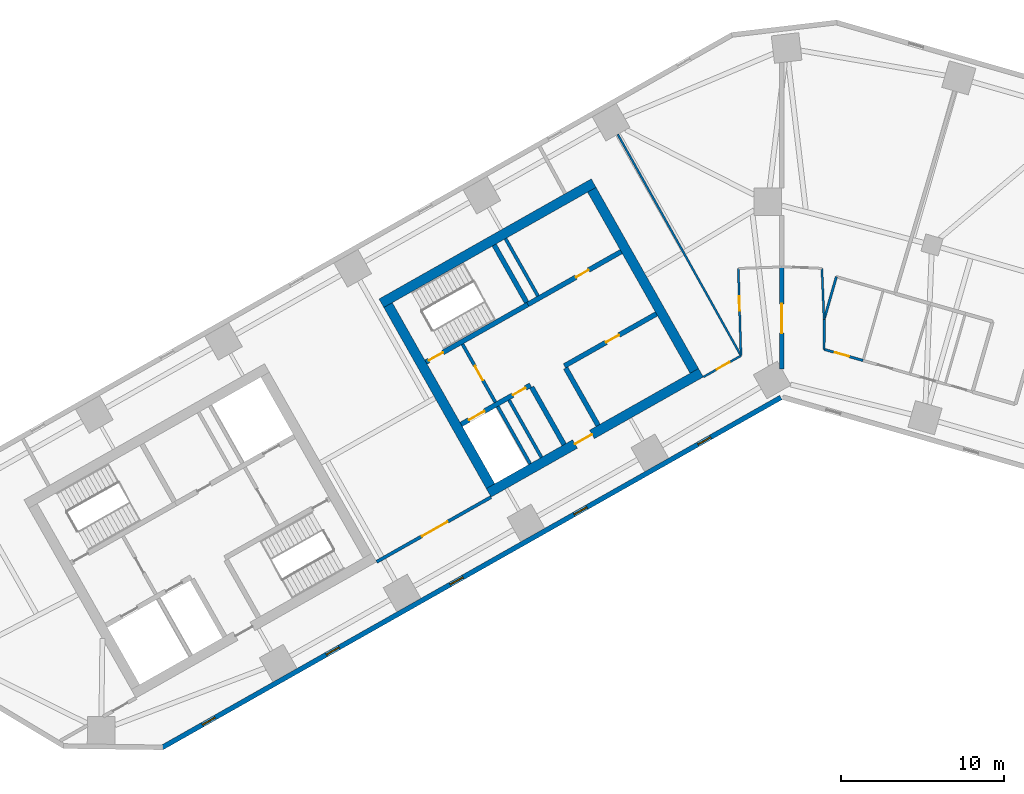
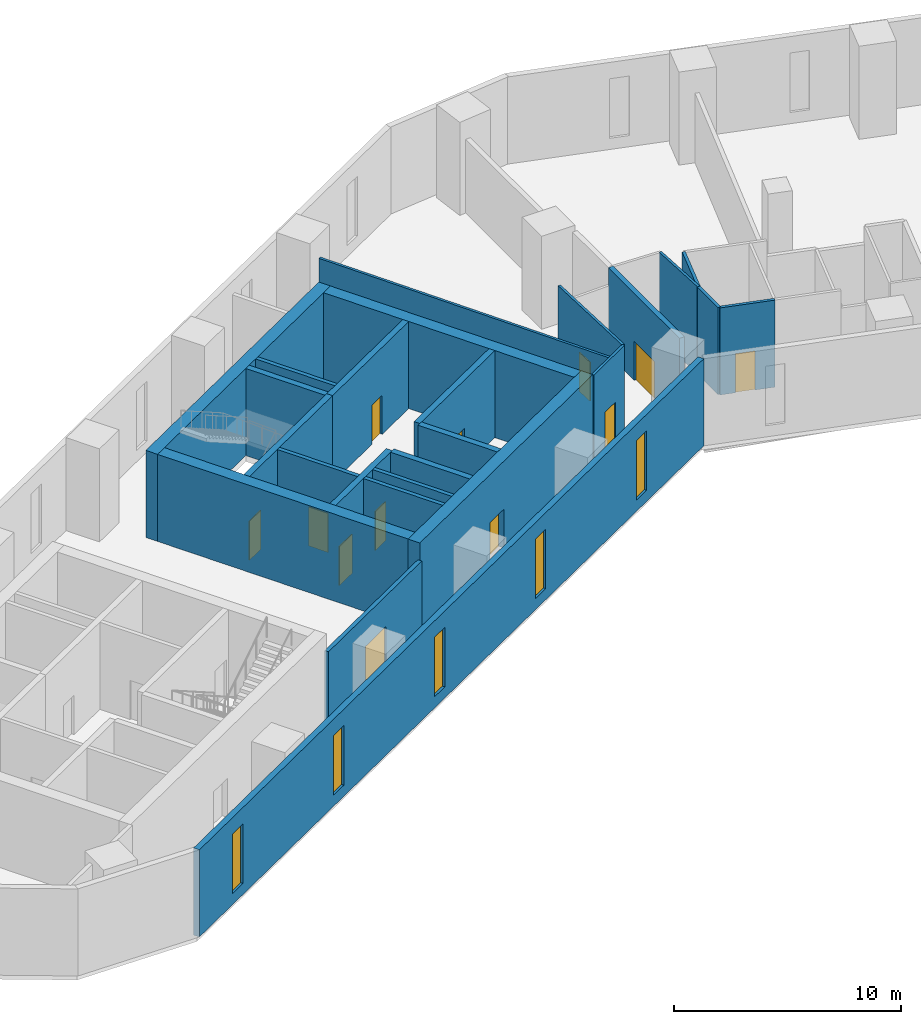
# One storey, part 4 of 10: 25 walls, 12 doors, 5 windows, 17 openings.
"""IFC4 building model written with IfcOpenShell, lengths in metres."""

from ifc_helpers import new_model, si_unit, direction, frame, frame_2d, origin, place, context, subcontext, project, spatial, rectangle, extrude, material, layer, layer_set, type_object, element, fill, save


model = new_model("IFC4")

# Units and contexts
model_context = context("Model", 3, precision=1e-05, world=origin(), true_north=direction((0.0, 1.0)))
body_context = subcontext(model_context, "Body", "Model", "MODEL_VIEW")
ifc_project = project(units=[si_unit("LENGTHUNIT", "METRE"), si_unit("AREAUNIT", "SQUARE_METRE"), si_unit("VOLUMEUNIT", "CUBIC_METRE"), si_unit("PLANEANGLEUNIT", "RADIAN"), si_unit("MASSUNIT", "GRAM", prefix="KILO")], contexts=[model_context])

# Site, building, storey
site_placement = place(None, origin())
site = spatial("IfcSite", under=ifc_project, at=site_placement, CompositionType="ELEMENT")
building_placement = place(site_placement, origin())
building = spatial("IfcBuilding", under=site, at=building_placement, Name="Binnacle Exchange Tower", CompositionType="ELEMENT")
storey_placement = place(building_placement, frame((0.0, 0.0, 41.5)))
storey = spatial("IfcBuildingStorey", under=building, at=storey_placement, Name="L08", CompositionType="ELEMENT", Elevation=41.5)

# Wall, openings, doors
ifc_material_1 = material(Name="Concrete C70/85", Category="concrete")
ifc_layer_1 = layer(ifc_material_1, 0.300048828125)
ifc_layer_set_1 = layer_set([ifc_layer_1], Name="Core wall - front 300")
wall_type_1 = type_object("IfcWallType", Name="Core wall - front 300", PredefinedType="SOLIDWALL", material=ifc_layer_set_1)
wall_1_placement = place(storey_placement, frame((-19.718017578125, 46.31640625, 0.0), z_axis=(0.0, 0.0, 1.0), x_axis=(0.870353963862, 0.492426621528, 0.0)))
wall_1 = element("IfcWall", 1, at=wall_1_placement, inside=storey, type_object=wall_type_1, Name="Core wall CRWC2", PredefinedType="SOLIDWALL", context=body_context, shape_type="SweptSolid", body=[
    extrude(rectangle(XDim=4.89990234375, YDim=0.300048828125, at=frame_2d((2.449951171875, 0.0))), origin(), (0.0, 0.0, 1.0), 4.679931640625),
])
opening_1_placement = place(wall_1_placement, frame((0.550048828125, 0.0, 0.0)))
opening_1 = element("IfcOpeningElement", 2, at=opening_1_placement, cuts=wall_1, Name="Opening LD14", PredefinedType="OPENING", context=body_context, shape_type="SweptSolid", body=[
    extrude(rectangle(XDim=1.10009765625, YDim=2.10009765625, at=frame_2d((0.550048828125, 1.050048828125))), frame((0.0, 0.159912109375, 0.0), z_axis=(0.0, -1.0, 0.0), x_axis=(1.0, 0.0, 0.0)), (0.0, 0.0, 1.0), 0.320068359375),
])
opening_2_placement = place(wall_1_placement, frame((3.64990234375, 0.0, 0.0)))
opening_2 = element("IfcOpeningElement", 3, at=opening_2_placement, cuts=wall_1, Name="Opening DC14", PredefinedType="OPENING", context=body_context, shape_type="SweptSolid", body=[
    extrude(rectangle(XDim=0.89990234375, YDim=2.10009765625, at=frame_2d((0.449951171875, 1.050048828125))), frame((0.0, 0.159912109375, 0.0), z_axis=(0.0, -1.0, 0.0), x_axis=(1.0, 0.0, 0.0)), (0.0, 0.0, 1.0), 0.320068359375),
])
ifc_material_2 = material(Name="Steel door leaf", Category="steel")
door_type_1 = type_object("IfcDoorType", Name="Fire door - lift landing 1100", OperationType="NOTDEFINED", PredefinedType="DOOR", material=ifc_material_2)
door_1_placement = place(opening_1_placement, origin())
door_1 = element("IfcDoor", 4, at=door_1_placement, inside=storey, type_object=door_type_1, Name="Landing door LD14 L08", OperationType="DOUBLE_DOOR_SLIDING", OverallHeight=2.10009765625, OverallWidth=1.10009765625, PredefinedType="DOOR", context=body_context, shape_type="SweptSolid", body=[
    extrude(rectangle(XDim=1.10009765625, YDim=2.10009765625, at=frame_2d((0.550048828125, 1.050048828125))), frame((0.0, 0.02490234375, 0.0), z_axis=(0.0, -1.0, 0.0), x_axis=(1.0, 0.0, 0.0)), (0.0, 0.0, 1.0), 0.050048828125),
])
fill(opening_1, door_1)
door_type_2 = type_object("IfcDoorType", Name="Fire door 900", OperationType="NOTDEFINED", PredefinedType="DOOR", material=ifc_material_2)
door_2_placement = place(opening_2_placement, frame((0.89990234375, 0.0, 0.0), z_axis=(0.0, 0.0, 1.0), x_axis=(-1.0, 0.0, 0.0)))
door_2 = element("IfcDoor", 5, at=door_2_placement, inside=storey, type_object=door_type_2, Name="Core room door FIBRE ENTRY ROOM", OperationType="SINGLE_SWING_LEFT", OverallHeight=2.10009765625, OverallWidth=0.89990234375, PredefinedType="DOOR", context=body_context, shape_type="SweptSolid", body=[
    extrude(rectangle(XDim=0.89990234375, YDim=2.10009765625, at=frame_2d((0.449951171875, 1.050048828125))), frame((0.0, 0.02490234375, 0.0), z_axis=(0.0, -1.0, 0.0), x_axis=(1.0, 0.0, 0.0)), (0.0, 0.0, 1.0), 0.050048828125),
])
fill(opening_2, door_2)

# Wall, opening, door
wall_2_placement = place(storey_placement, frame((-13.364501953125, 49.910888671875, 0.0), z_axis=(0.0, 0.0, 1.0), x_axis=(0.870340995471, 0.49244954219, 0.0)))
wall_2 = element("IfcWall", 6, at=wall_2_placement, inside=storey, type_object=wall_type_1, Name="Core wall CRWC3", PredefinedType="SOLIDWALL", context=body_context, shape_type="SweptSolid", body=[
    extrude(rectangle(XDim=6.5, YDim=0.300048828125, at=frame_2d((3.25, 0.0))), origin(), (0.0, 0.0, 1.0), 4.679931640625),
])
opening_3_placement = place(wall_2_placement, frame((2.949951171875, 0.0, 0.0)))
opening_3 = element("IfcOpeningElement", 7, at=opening_3_placement, cuts=wall_2, Name="Opening DC18", PredefinedType="OPENING", context=body_context, shape_type="SweptSolid", body=[
    extrude(rectangle(XDim=0.89990234375, YDim=2.10009765625, at=frame_2d((0.449951171875, 1.050048828125))), frame((0.0, 0.159912109375, 0.0), z_axis=(0.0, -1.0, 0.0), x_axis=(1.0, 0.0, 0.0)), (0.0, 0.0, 1.0), 0.320068359375),
])
door_3_placement = place(opening_3_placement, frame((0.89990234375, 0.0, 0.0), z_axis=(0.0, 0.0, 1.0), x_axis=(-1.0, 0.0, 0.0)))
door_3 = element("IfcDoor", 8, at=door_3_placement, inside=storey, type_object=door_type_2, Name="Core room door WORKSHOP STORE", OperationType="SINGLE_SWING_LEFT", OverallHeight=2.10009765625, OverallWidth=0.89990234375, PredefinedType="DOOR", context=body_context, shape_type="SweptSolid", body=[
    extrude(rectangle(XDim=0.89990234375, YDim=2.10009765625, at=frame_2d((0.449951171875, 1.050048828125))), frame((0.0, 0.02490234375, 0.0), z_axis=(0.0, -1.0, 0.0), x_axis=(1.0, 0.0, 0.0)), (0.0, 0.0, 1.0), 0.050048828125),
])
fill(opening_3, door_3)

wall_3_placement = place(storey_placement, frame((-15.6181640625, 53.69140625, 0.0), z_axis=(0.0, 0.0, 1.0), x_axis=(0.870356769198, 0.492421663121, 0.0)))
wall_3 = element("IfcWall", 9, at=wall_3_placement, inside=storey, type_object=wall_type_1, Name="Core wall CRWC5", PredefinedType="SOLIDWALL", context=body_context, shape_type="SweptSolid", body=[
    extrude(rectangle(XDim=6.60009765625, YDim=0.300048828125, at=frame_2d((3.300048828125, 0.0))), origin(), (0.0, 0.0, 1.0), 4.679931640625),
])
opening_4_placement = place(wall_3_placement, frame((3.400146484375, 0.0, 0.0)))
opening_4 = element("IfcOpeningElement", 10, at=opening_4_placement, cuts=wall_3, Name="Opening DC10", PredefinedType="OPENING", context=body_context, shape_type="SweptSolid", body=[
    extrude(rectangle(XDim=0.89990234375, YDim=2.10009765625, at=frame_2d((0.449951171875, 1.050048828125))), frame((0.0, 0.159912109375, 0.0), z_axis=(0.0, -1.0, 0.0), x_axis=(1.0, 0.0, 0.0)), (0.0, 0.0, 1.0), 0.320068359375),
])
door_4_placement = place(opening_4_placement, origin())
door_4 = element("IfcDoor", 11, at=door_4_placement, inside=storey, type_object=door_type_2, Name="Core room door STAFF PANTRY AND STORE", OperationType="SINGLE_SWING_RIGHT", OverallHeight=2.10009765625, OverallWidth=0.89990234375, PredefinedType="DOOR", context=body_context, shape_type="SweptSolid", body=[
    extrude(rectangle(XDim=0.89990234375, YDim=2.10009765625, at=frame_2d((0.449951171875, 1.050048828125))), frame((0.0, 0.02490234375, 0.0), z_axis=(0.0, -1.0, 0.0), x_axis=(1.0, 0.0, 0.0)), (0.0, 0.0, 1.0), 0.050048828125),
])
fill(opening_4, door_4)

# Walls
for number, where, z_axis, x_axis, name in (
    (12, (-15.37939453125, 48.5986328125, 0.0), (0.0, 0.0, 1.0), (0.492394910396, -0.870371904542, 0.0), "Core wall CRWC13"),
    (13, (-13.29052734375, 49.780517578125, 0.0), (0.0, 0.0, 1.0), (0.492394910396, -0.870371904542, 0.0), "Core wall CRWC15"),
):
    element("IfcWall", number, at=place(storey_placement, frame(where, z_axis=z_axis, x_axis=x_axis)), inside=storey, type_object=wall_type_1, Name=name, PredefinedType="SOLIDWALL", context=body_context, shape_type="SweptSolid", body=[
        extrude(rectangle(XDim=4.0498046875, YDim=0.300048828125, at=frame_2d((2.02490234375, 0.0))), origin(), (0.0, 0.0, 1.0), 4.679931640625),
    ])

# Wall, opening, door
ifc_layer_2 = layer(ifc_material_1, 0.60009765625)
ifc_layer_set_2 = layer_set([ifc_layer_2], Name="Core wall - outer 600")
wall_type_2 = type_object("IfcWallType", Name="Core wall - outer 600", PredefinedType="SOLIDWALL", material=ifc_layer_set_2)
wall_4_placement = place(storey_placement, frame((-18.0244140625, 42.104248046875, 0.0), z_axis=(0.0, 0.0, 1.0), x_axis=(0.870360574057, 0.492414937962, 0.0)))
wall_4 = element("IfcWall", 14, at=wall_4_placement, inside=storey, type_object=wall_type_2, Name="Core wall CRWC1", PredefinedType="SOLIDWALL", context=body_context, shape_type="SweptSolid", body=[
    extrude(rectangle(XDim=15.0, YDim=0.60009765625, at=frame_2d((7.5, 0.0))), origin(), (0.0, 0.0, 1.0), 4.679931640625),
])
opening_5_placement = place(wall_4_placement, frame((6.10009765625, 0.0, 0.0)))
opening_5 = element("IfcOpeningElement", 15, at=opening_5_placement, cuts=wall_4, Name="Opening DC7", PredefinedType="OPENING", context=body_context, shape_type="SweptSolid", body=[
    extrude(rectangle(XDim=1.199951171875, YDim=2.10009765625, at=frame_2d((0.60009765625, 1.050048828125))), frame((0.0, 0.31005859375, 0.0), z_axis=(0.0, -1.0, 0.0), x_axis=(1.0, 0.0, 0.0)), (0.0, 0.0, 1.0), 0.6201171875),
])
door_type_3 = type_object("IfcDoorType", Name="Fire door 1200", OperationType="NOTDEFINED", PredefinedType="DOOR", material=ifc_material_2)
door_5_placement = place(opening_5_placement, frame((1.199951171875, 0.0, 0.0), z_axis=(0.0, 0.0, 1.0), x_axis=(-1.0, 0.0, 0.0)))
door_5 = element("IfcDoor", 16, at=door_5_placement, inside=storey, type_object=door_type_3, Name="Lift lobby entrance door core C", OperationType="SINGLE_SWING_RIGHT", OverallHeight=2.10009765625, OverallWidth=1.199951171875, PredefinedType="DOOR", context=body_context, shape_type="SweptSolid", body=[
    extrude(rectangle(XDim=1.199951171875, YDim=2.10009765625, at=frame_2d((0.60009765625, 1.050048828125))), frame((0.0, 0.02490234375, 0.0), z_axis=(0.0, -1.0, 0.0), x_axis=(1.0, 0.0, 0.0)), (0.0, 0.0, 1.0), 0.050048828125),
])
fill(opening_5, door_5)

# Walls
wall_5_placement = place(storey_placement, frame((-24.622802734375, 53.76708984375, 0.0), z_axis=(0.0, 0.0, 1.0), x_axis=(0.870356627484, 0.492421913601, 0.0)))
element("IfcWall", 17, at=wall_5_placement, inside=storey, type_object=wall_type_2, Name="Core wall CRWC6", PredefinedType="SOLIDWALL", context=body_context, shape_type="SweptSolid", body=[
    extrude(rectangle(XDim=14.999755859375, YDim=0.60009765625, at=frame_2d((7.5, 0.0))), origin(), (0.0, 0.0, 1.0), 4.679931640625),
])
wall_6_placement = place(storey_placement, frame((-24.214111328125, 53.653564453125, 0.0), z_axis=(0.0, 0.0, 1.0), x_axis=(0.492441221355, -0.870345703448, 0.0)))
element("IfcWall", 18, at=wall_6_placement, inside=storey, type_object=wall_type_2, Name="Core wall CRWC7", PredefinedType="SOLIDWALL", context=body_context, shape_type="SweptSolid", body=[
    extrude(rectangle(XDim=12.800048828125, YDim=0.60009765625, at=frame_2d((6.39990234375, 0.0))), origin(), (0.0, 0.0, 1.0), 4.679931640625),
])
wall_7_placement = place(storey_placement, frame((-11.680908203125, 60.744384765625, 0.0), z_axis=(0.0, 0.0, 1.0), x_axis=(0.492426772896, -0.870353878221, 0.0)))
element("IfcWall", 19, at=wall_7_placement, inside=storey, type_object=wall_type_2, Name="Core wall CRWC24", PredefinedType="SOLIDWALL", context=body_context, shape_type="SweptSolid", body=[
    extrude(rectangle(XDim=12.7998046875, YDim=0.60009765625, at=frame_2d((6.39990234375, 0.0))), origin(), (0.0, 0.0, 1.0), 4.679931640625),
])

# Wall, opening, door
ifc_layer_3 = layer(ifc_material_1, 0.300048828125)
ifc_layer_set_3 = layer_set([ifc_layer_3], Name="Core wall - stair 300")
wall_type_3 = type_object("IfcWallType", Name="Core wall - stair 300", PredefinedType="SOLIDWALL", material=ifc_layer_set_3)
wall_8_placement = place(storey_placement, frame((-21.884765625, 50.14599609375, 0.0), z_axis=(0.0, 0.0, 1.0), x_axis=(0.870359411463, 0.492416992881, 0.0)))
wall_8 = element("IfcWall", 20, at=wall_8_placement, inside=storey, type_object=wall_type_3, Name="Core wall CRWC4", PredefinedType="SOLIDWALL", context=body_context, shape_type="SweptSolid", body=[
    extrude(rectangle(XDim=7.199951171875, YDim=0.300048828125, at=frame_2d((3.60009765625, 0.0))), origin(), (0.0, 0.0, 1.0), 4.679931640625),
])
opening_6_placement = place(wall_8_placement, frame((0.199951171875, 0.0, 0.0)))
opening_6 = element("IfcOpeningElement", 21, at=opening_6_placement, cuts=wall_8, Name="Opening DC1", PredefinedType="OPENING", context=body_context, shape_type="SweptSolid", body=[
    extrude(rectangle(XDim=1.0, YDim=2.10009765625, at=frame_2d((0.5, 1.050048828125))), frame((0.0, 0.159912109375, 0.0), z_axis=(0.0, -1.0, 0.0), x_axis=(1.0, 0.0, 0.0)), (0.0, 0.0, 1.0), 0.320068359375),
])
door_type_4 = type_object("IfcDoorType", Name="Fire door 1000", OperationType="NOTDEFINED", PredefinedType="DOOR", material=ifc_material_2)
door_6_placement = place(opening_6_placement, origin())
door_6 = element("IfcDoor", 22, at=door_6_placement, inside=storey, type_object=door_type_4, Name="Stair door ST-C1", OperationType="SINGLE_SWING_LEFT", OverallHeight=2.10009765625, OverallWidth=1.0, PredefinedType="DOOR", context=body_context, shape_type="SweptSolid", body=[
    extrude(rectangle(XDim=1.0, YDim=2.10009765625, at=frame_2d((0.5, 1.050048828125))), frame((0.0, 0.02490234375, 0.0), z_axis=(0.0, -1.0, 0.0), x_axis=(1.0, 0.0, 0.0)), (0.0, 0.0, 1.0), 0.050048828125),
])
fill(opening_6, door_6)

# Wall
wall_9_placement = place(storey_placement, frame((-17.686279296875, 57.3466796875, 0.0), z_axis=(0.0, 0.0, 1.0), x_axis=(0.492420746998, -0.870357287513, 0.0)))
element("IfcWall", 23, at=wall_9_placement, inside=storey, type_object=wall_type_3, Name="Core wall CRWC14", PredefinedType="SOLIDWALL", context=body_context, shape_type="SweptSolid", body=[
    extrude(rectangle(XDim=4.049560546875, YDim=0.300048828125, at=frame_2d((2.02490234375, 0.0))), origin(), (0.0, 0.0, 1.0), 4.679931640625),
])

# Wall, openings, windows
ifc_material_3 = material(Name="Bronze aluminium cladding", Category="aluminium")
ifc_layer_4 = layer(ifc_material_3, 0.300048828125)
ifc_layer_set_4 = layer_set([ifc_layer_4], Name="External wall - spandrel 300")
wall_type_4 = type_object("IfcWallType", Name="External wall - spandrel 300", PredefinedType="STANDARD", material=ifc_layer_set_4)
wall_10_placement = place(storey_placement, frame((-0.0546875, 47.968994140625, 0.0), z_axis=(0.0, 0.0, 1.0), x_axis=(-0.870355730478, -0.492423499058, 0.0)))
wall_10 = element("IfcWall", 24, at=wall_10_placement, inside=storey, type_object=wall_type_4, Name="External wall EW-F07 L08", PredefinedType="STANDARD", context=body_context, shape_type="SweptSolid", body=[
    extrude(rectangle(XDim=43.750244140625, YDim=0.300048828125, at=frame_2d((21.875, 0.0))), origin(), (0.0, 0.0, 1.0), 4.679931640625),
])
opening_7_placement = place(wall_10_placement, frame((39.976806640625, 0.0, 0.60009765625)))
opening_7 = element("IfcOpeningElement", 25, at=opening_7_placement, cuts=wall_10, Name="Opening WS1", PredefinedType="OPENING", context=body_context, shape_type="SweptSolid", body=[
    extrude(rectangle(XDim=0.89990234375, YDim=3.199951171875, at=frame_2d((0.449951171875, 1.60009765625))), frame((0.0, 0.159912109375, 0.0), z_axis=(0.0, -1.0, 0.0), x_axis=(1.0, 0.0, 0.0)), (0.0, 0.0, 1.0), 0.320068359375),
])
opening_8_placement = place(wall_10_placement, frame((31.222412109375, 0.0, 0.60009765625)))
opening_8 = element("IfcOpeningElement", 26, at=opening_8_placement, cuts=wall_10, Name="Opening WS1", PredefinedType="OPENING", context=body_context, shape_type="SweptSolid", body=[
    extrude(rectangle(XDim=0.89990234375, YDim=3.199951171875, at=frame_2d((0.449951171875, 1.60009765625))), frame((0.0, 0.159912109375, 0.0), z_axis=(0.0, -1.0, 0.0), x_axis=(1.0, 0.0, 0.0)), (0.0, 0.0, 1.0), 0.320068359375),
])
opening_9_placement = place(wall_10_placement, frame((22.4677734375, 0.0, 0.60009765625)))
opening_9 = element("IfcOpeningElement", 27, at=opening_9_placement, cuts=wall_10, Name="Opening WS1", PredefinedType="OPENING", context=body_context, shape_type="SweptSolid", body=[
    extrude(rectangle(XDim=0.89990234375, YDim=3.199951171875, at=frame_2d((0.449951171875, 1.60009765625))), frame((0.0, 0.159912109375, 0.0), z_axis=(0.0, -1.0, 0.0), x_axis=(1.0, 0.0, 0.0)), (0.0, 0.0, 1.0), 0.320068359375),
])
opening_10_placement = place(wall_10_placement, frame((13.713134765625, 0.0, 0.60009765625)))
opening_10 = element("IfcOpeningElement", 28, at=opening_10_placement, cuts=wall_10, Name="Opening WS1", PredefinedType="OPENING", context=body_context, shape_type="SweptSolid", body=[
    extrude(rectangle(XDim=0.89990234375, YDim=3.199951171875, at=frame_2d((0.449951171875, 1.60009765625))), frame((0.0, 0.159912109375, 0.0), z_axis=(0.0, -1.0, 0.0), x_axis=(1.0, 0.0, 0.0)), (0.0, 0.0, 1.0), 0.320068359375),
])
opening_11_placement = place(wall_10_placement, frame((4.958740234375, 0.0, 0.60009765625)))
opening_11 = element("IfcOpeningElement", 29, at=opening_11_placement, cuts=wall_10, Name="Opening WS1", PredefinedType="OPENING", context=body_context, shape_type="SweptSolid", body=[
    extrude(rectangle(XDim=0.89990234375, YDim=3.199951171875, at=frame_2d((0.449951171875, 1.60009765625))), frame((0.0, 0.159912109375, 0.0), z_axis=(0.0, -1.0, 0.0), x_axis=(1.0, 0.0, 0.0)), (0.0, 0.0, 1.0), 0.320068359375),
])
ifc_material_4 = material(Name="Bronze anodised aluminium frame", Category="aluminium")
window_type = type_object("IfcWindowType", Name="WS1 WINDOW 900x3200", PartitioningType="SINGLE_PANEL", PredefinedType="WINDOW", material=ifc_material_4)
window_1_placement = place(opening_7_placement, origin())
window_1 = element("IfcWindow", 30, at=window_1_placement, inside=storey, type_object=window_type, Name="Window WS1 L08", OverallHeight=3.199951171875, OverallWidth=0.89990234375, PartitioningType="SINGLE_PANEL", PredefinedType="WINDOW", context=body_context, shape_type="SweptSolid", body=[
    extrude(rectangle(XDim=0.89990234375, YDim=3.199951171875, at=frame_2d((0.449951171875, 1.60009765625))), frame((0.0, 0.030029296875, 0.0), z_axis=(0.0, -1.0, 0.0), x_axis=(1.0, 0.0, 0.0)), (0.0, 0.0, 1.0), 0.06005859375),
])
fill(opening_7, window_1)
window_2_placement = place(opening_8_placement, origin())
window_2 = element("IfcWindow", 31, at=window_2_placement, inside=storey, type_object=window_type, Name="Window WS1 L08", OverallHeight=3.199951171875, OverallWidth=0.89990234375, PartitioningType="SINGLE_PANEL", PredefinedType="WINDOW", context=body_context, shape_type="SweptSolid", body=[
    extrude(rectangle(XDim=0.89990234375, YDim=3.199951171875, at=frame_2d((0.449951171875, 1.60009765625))), frame((0.0, 0.030029296875, 0.0), z_axis=(0.0, -1.0, 0.0), x_axis=(1.0, 0.0, 0.0)), (0.0, 0.0, 1.0), 0.06005859375),
])
fill(opening_8, window_2)
window_3_placement = place(opening_9_placement, origin())
window_3 = element("IfcWindow", 32, at=window_3_placement, inside=storey, type_object=window_type, Name="Window WS1 L08", OverallHeight=3.199951171875, OverallWidth=0.89990234375, PartitioningType="SINGLE_PANEL", PredefinedType="WINDOW", context=body_context, shape_type="SweptSolid", body=[
    extrude(rectangle(XDim=0.89990234375, YDim=3.199951171875, at=frame_2d((0.449951171875, 1.60009765625))), frame((0.0, 0.030029296875, 0.0), z_axis=(0.0, -1.0, 0.0), x_axis=(1.0, 0.0, 0.0)), (0.0, 0.0, 1.0), 0.06005859375),
])
fill(opening_9, window_3)
window_4_placement = place(opening_10_placement, origin())
window_4 = element("IfcWindow", 33, at=window_4_placement, inside=storey, type_object=window_type, Name="Window WS1 L08", OverallHeight=3.199951171875, OverallWidth=0.89990234375, PartitioningType="SINGLE_PANEL", PredefinedType="WINDOW", context=body_context, shape_type="SweptSolid", body=[
    extrude(rectangle(XDim=0.89990234375, YDim=3.199951171875, at=frame_2d((0.449951171875, 1.60009765625))), frame((0.0, 0.030029296875, 0.0), z_axis=(0.0, -1.0, 0.0), x_axis=(1.0, 0.0, 0.0)), (0.0, 0.0, 1.0), 0.06005859375),
])
fill(opening_10, window_4)
window_5_placement = place(opening_11_placement, origin())
window_5 = element("IfcWindow", 34, at=window_5_placement, inside=storey, type_object=window_type, Name="Window WS1 L08", OverallHeight=3.199951171875, OverallWidth=0.89990234375, PartitioningType="SINGLE_PANEL", PredefinedType="WINDOW", context=body_context, shape_type="SweptSolid", body=[
    extrude(rectangle(XDim=0.89990234375, YDim=3.199951171875, at=frame_2d((0.449951171875, 1.60009765625))), frame((0.0, 0.030029296875, 0.0), z_axis=(0.0, -1.0, 0.0), x_axis=(1.0, 0.0, 0.0)), (0.0, 0.0, 1.0), 0.06005859375),
])
fill(opening_11, window_5)

# Wall, opening, door
ifc_material_5 = material(Name="Masonry block wall", Category="masonry")
ifc_layer_5 = layer(ifc_material_5, 0.199951171875)
ifc_layer_set_5 = layer_set([ifc_layer_5], Name="Fire wall - block 200")
wall_type_5 = type_object("IfcWallType", Name="Fire wall - block 200", PredefinedType="PARTITIONING", material=ifc_layer_set_5)
wall_11_placement = place(storey_placement, frame((-24.9189453125, 37.85888671875, 0.0), z_axis=(0.0, 0.0, 1.0), x_axis=(0.870357635969, 0.492420131098, 0.0)))
wall_11 = element("IfcWall", 35, at=wall_11_placement, inside=storey, type_object=wall_type_5, Name="Partition W04", PredefinedType="PARTITIONING", context=body_context, shape_type="SweptSolid", body=[
    extrude(rectangle(XDim=8.0908203125, YDim=0.199951171875, at=frame_2d((4.04541015625, 0.0))), origin(), (0.0, 0.0, 1.0), 3.748046875),
])
opening_12_placement = place(wall_11_placement, frame((3.199951171875, 0.0, 0.0)))
opening_12 = element("IfcOpeningElement", 36, at=opening_12_placement, cuts=wall_11, Name="Opening DL08-02", PredefinedType="OPENING", context=body_context, shape_type="SweptSolid", body=[
    extrude(rectangle(XDim=1.800048828125, YDim=2.10009765625, at=frame_2d((0.89990234375, 1.050048828125))), frame((0.0, 0.10986328125, 0.0), z_axis=(0.0, -1.0, 0.0), x_axis=(1.0, 0.0, 0.0)), (0.0, 0.0, 1.0), 0.219970703125),
])
door_type_5 = type_object("IfcDoorType", Name="Fire door 1800", OperationType="NOTDEFINED", PredefinedType="DOOR", material=ifc_material_2)
door_7_placement = place(opening_12_placement, origin())
door_7 = element("IfcDoor", 37, at=door_7_placement, inside=storey, type_object=door_type_5, Name="Door DL08-02", OperationType="DOUBLE_DOOR_SINGLE_SWING", OverallHeight=2.10009765625, OverallWidth=1.800048828125, PredefinedType="DOOR", context=body_context, shape_type="SweptSolid", body=[
    extrude(rectangle(XDim=1.800048828125, YDim=2.10009765625, at=frame_2d((0.89990234375, 1.050048828125))), frame((0.0, 0.02490234375, 0.0), z_axis=(0.0, -1.0, 0.0), x_axis=(1.0, 0.0, 0.0)), (0.0, 0.0, 1.0), 0.050048828125),
])
fill(opening_12, door_7)

ifc_material_6 = material(Name="Concrete fire wall C30/37", Category="concrete")
ifc_layer_6 = layer(ifc_material_6, 0.25)
ifc_layer_set_6 = layer_set([ifc_layer_6], Name="Fire wall - compartment 250")
wall_type_6 = type_object("IfcWallType", Name="Fire wall - compartment 250", PredefinedType="PARTITIONING", material=ifc_layer_set_6)
wall_12_placement = place(storey_placement, frame((0.0, 49.72607421875, 0.0), z_axis=(0.0, 0.0, 1.0), x_axis=(0.0, 1.0, 0.0)))
wall_12 = element("IfcWall", 38, at=wall_12_placement, inside=storey, type_object=wall_type_6, Name="Fire Wall W10", PredefinedType="PARTITIONING", context=body_context, shape_type="SweptSolid", body=[
    extrude(rectangle(XDim=6.27392578125, YDim=0.25, at=frame_2d((3.136962890625, 0.0))), origin(), (0.0, 0.0, 1.0), 4.679931640625),
])
opening_13_placement = place(wall_12_placement, frame((2.199951171875, 0.0, 0.0)))
opening_13 = element("IfcOpeningElement", 39, at=opening_13_placement, cuts=wall_12, Name="Opening DL08-13", PredefinedType="OPENING", context=body_context, shape_type="SweptSolid", body=[
    extrude(rectangle(XDim=1.800048828125, YDim=2.10009765625, at=frame_2d((0.89990234375, 1.050048828125))), frame((0.0, 0.135009765625, 0.0), z_axis=(0.0, -1.0, 0.0), x_axis=(1.0, 0.0, 0.0)), (0.0, 0.0, 1.0), 0.27001953125),
])
door_8_placement = place(opening_13_placement, origin())
door_8 = element("IfcDoor", 40, at=door_8_placement, inside=storey, type_object=door_type_5, Name="Door DL08-13", OperationType="DOUBLE_DOOR_SINGLE_SWING", OverallHeight=2.10009765625, OverallWidth=1.800048828125, PredefinedType="DOOR", context=body_context, shape_type="SweptSolid", body=[
    extrude(rectangle(XDim=1.800048828125, YDim=2.10009765625, at=frame_2d((0.89990234375, 1.050048828125))), frame((0.0, 0.02490234375, 0.0), z_axis=(0.0, -1.0, 0.0), x_axis=(1.0, 0.0, 0.0)), (0.0, 0.0, 1.0), 0.050048828125),
])
fill(opening_13, door_8)

ifc_layer_7 = layer(ifc_material_5, 0.199951171875)
ifc_layer_set_7 = layer_set([ifc_layer_7], Name="Fire wall - vestibule 200")
wall_type_7 = type_object("IfcWallType", Name="Fire wall - vestibule 200", PredefinedType="PARTITIONING", material=ifc_layer_set_7)
wall_13_placement = place(storey_placement, frame((-19.635009765625, 51.246337890625, 0.0), z_axis=(0.0, 0.0, 1.0), x_axis=(0.492408451753, -0.87036424366, 0.0)))
wall_13 = element("IfcWall", 41, at=wall_13_placement, inside=storey, type_object=wall_type_7, Name="Core wall CRWC10", PredefinedType="PARTITIONING", context=body_context, shape_type="SweptSolid", body=[
    extrude(rectangle(XDim=4.099853515625, YDim=0.199951171875, at=frame_2d((2.0498046875, 0.0))), origin(), (0.0, 0.0, 1.0), 4.679931640625),
])
opening_14_placement = place(wall_13_placement, frame((1.550048828125, 0.0, 0.0)))
opening_14 = element("IfcOpeningElement", 42, at=opening_14_placement, cuts=wall_13, Name="Opening DC3", PredefinedType="OPENING", context=body_context, shape_type="SweptSolid", body=[
    extrude(rectangle(XDim=1.0, YDim=2.10009765625, at=frame_2d((0.5, 1.050048828125))), frame((0.0, 0.10986328125, 0.0), z_axis=(0.0, -1.0, 0.0), x_axis=(1.0, 0.0, 0.0)), (0.0, 0.0, 1.0), 0.219970703125),
])
door_9_placement = place(opening_14_placement, frame((1.0, 0.0, 0.0), z_axis=(0.0, 0.0, 1.0), x_axis=(-1.0, 0.0, 0.0)))
door_9 = element("IfcDoor", 43, at=door_9_placement, inside=storey, type_object=door_type_4, Name="Vestibule door VEST-W", OperationType="SINGLE_SWING_RIGHT", OverallHeight=2.10009765625, OverallWidth=1.0, PredefinedType="DOOR", context=body_context, shape_type="SweptSolid", body=[
    extrude(rectangle(XDim=1.0, YDim=2.10009765625, at=frame_2d((0.5, 1.050048828125))), frame((0.0, 0.02490234375, 0.0), z_axis=(0.0, -1.0, 0.0), x_axis=(1.0, 0.0, 0.0)), (0.0, 0.0, 1.0), 0.050048828125),
])
fill(opening_14, door_9)

# Wall
ifc_material_7 = material(Name="Gypsum partition fire rated")
ifc_layer_8 = layer(ifc_material_7, 0.14990234375)
ifc_layer_set_8 = layer_set([ifc_layer_8], Name="Fire-rated partition 150")
wall_type_8 = type_object("IfcWallType", Name="Fire-rated partition 150", PredefinedType="PARTITIONING", material=ifc_layer_set_8)
wall_14_placement = place(storey_placement, frame((2.60107421875, 50.931884765625, 0.0), z_axis=(0.0, 0.0, 1.0), x_axis=(0.001073104681, 0.999999424223, 0.0)))
element("IfcWall", 44, at=wall_14_placement, inside=storey, type_object=wall_type_8, Name="Partition W15", PredefinedType="PARTITIONING", context=body_context, shape_type="SweptSolid", body=[
    extrude(rectangle(XDim=1.820068359375, YDim=0.14990234375, at=frame_2d((0.91015625, 0.0))), origin(), (0.0, 0.0, 1.0), 4.679931640625),
])

# Wall, opening, door
wall_15_placement = place(storey_placement, frame((2.60107421875, 50.931884765625, 0.0), z_axis=(0.0, 0.0, 1.0), x_axis=(0.961265528111, -0.275623991092, 0.0)))
wall_15 = element("IfcWall", 45, at=wall_15_placement, inside=storey, type_object=wall_type_8, Name="Partition W16", PredefinedType="PARTITIONING", context=body_context, shape_type="SweptSolid", body=[
    extrude(rectangle(XDim=2.499755859375, YDim=0.14990234375, at=frame_2d((1.25, 0.0))), origin(), (0.0, 0.0, 1.0), 4.679931640625),
])
opening_15_placement = place(wall_15_placement, frame((0.699951171875, 0.0, 0.0)))
opening_15 = element("IfcOpeningElement", 46, at=opening_15_placement, cuts=wall_15, Name="Opening DL08-05", PredefinedType="OPENING", context=body_context, shape_type="SweptSolid", body=[
    extrude(rectangle(XDim=0.89990234375, YDim=2.10009765625, at=frame_2d((0.449951171875, 1.050048828125))), frame((0.0, 0.0849609375, 0.0), z_axis=(0.0, -1.0, 0.0), x_axis=(1.0, 0.0, 0.0)), (0.0, 0.0, 1.0), 0.169921875),
])
door_10_placement = place(opening_15_placement, origin())
door_10 = element("IfcDoor", 47, at=door_10_placement, inside=storey, type_object=door_type_2, Name="Door DL08-05", OperationType="SINGLE_SWING_LEFT", OverallHeight=2.10009765625, OverallWidth=0.89990234375, PredefinedType="DOOR", context=body_context, shape_type="SweptSolid", body=[
    extrude(rectangle(XDim=0.89990234375, YDim=2.10009765625, at=frame_2d((0.449951171875, 1.050048828125))), frame((0.0, 0.02490234375, 0.0), z_axis=(0.0, -1.0, 0.0), x_axis=(1.0, 0.0, 0.0)), (0.0, 0.0, 1.0), 0.050048828125),
])
fill(opening_15, door_10)

# Walls
wall_16_placement = place(storey_placement, frame((2.60302734375, 52.751953125, 0.0), z_axis=(0.0, 0.0, 1.0), x_axis=(0.27569433145, 0.961245356611, 0.0)))
element("IfcWall", 48, at=wall_16_placement, inside=storey, type_object=wall_type_8, Name="Partition W17", PredefinedType="PARTITIONING", context=body_context, shape_type="SweptSolid", body=[
    extrude(rectangle(XDim=2.74951171875, YDim=0.14990234375, at=frame_2d((1.374755859375, 0.0))), origin(), (0.0, 0.0, 1.0), 4.679931640625),
])
ifc_material_8 = material(Name="Gypsum partition")
ifc_layer_9 = layer(ifc_material_8, 0.125)
ifc_layer_set_9 = layer_set([ifc_layer_9], Name="Partition 125")
wall_type_9 = type_object("IfcWallType", Name="Partition 125", PredefinedType="PARTITIONING", material=ifc_layer_set_9)
wall_17_placement = place(storey_placement, frame((-10.087890625, 64.155029296875, 0.0), z_axis=(0.0, 0.0, 1.0), x_axis=(0.486446127767, -0.873710572661, 0.0)))
element("IfcWall", 49, at=wall_17_placement, inside=storey, type_object=wall_type_9, Name="Partition W06", PredefinedType="PARTITIONING", context=body_context, shape_type="SweptSolid", body=[
    extrude(rectangle(XDim=15.583984375, YDim=0.125, at=frame_2d((7.7919921875, 0.0))), origin(), (0.0, 0.0, 1.0), 3.760009765625),
])

# Wall, opening, door
wall_18_placement = place(storey_placement, frame((-4.821044921875, 49.22998046875, 0.0), z_axis=(0.0, 0.0, 1.0), x_axis=(0.870371217631, 0.492396124598, 0.0)))
wall_18 = element("IfcWall", 50, at=wall_18_placement, inside=storey, type_object=wall_type_9, Name="Partition W07", PredefinedType="PARTITIONING", context=body_context, shape_type="SweptSolid", body=[
    extrude(rectangle(XDim=2.65869140625, YDim=0.125, at=frame_2d((1.329345703125, 0.0))), origin(), (0.0, 0.0, 1.0), 4.679931640625),
])
opening_16_placement = place(wall_18_placement, frame((0.949951171875, 0.0, 0.0)))
opening_16 = element("IfcOpeningElement", 51, at=opening_16_placement, cuts=wall_18, Name="Opening DL08-03", PredefinedType="OPENING", context=body_context, shape_type="SweptSolid", body=[
    extrude(rectangle(XDim=0.89990234375, YDim=2.10009765625, at=frame_2d((0.449951171875, 1.050048828125))), frame((0.0, 0.072509765625, 0.0), z_axis=(0.0, -1.0, 0.0), x_axis=(1.0, 0.0, 0.0)), (0.0, 0.0, 1.0), 0.14501953125),
])
ifc_material_9 = material(Name="Timber door leaf", Category="wood")
door_type_6 = type_object("IfcDoorType", Name="Door 900", OperationType="NOTDEFINED", PredefinedType="DOOR", material=ifc_material_9)
door_11_placement = place(opening_16_placement, origin())
door_11 = element("IfcDoor", 52, at=door_11_placement, inside=storey, type_object=door_type_6, Name="Door DL08-03", OperationType="SINGLE_SWING_RIGHT", OverallHeight=2.10009765625, OverallWidth=0.89990234375, PredefinedType="DOOR", context=body_context, shape_type="SweptSolid", body=[
    extrude(rectangle(XDim=0.89990234375, YDim=2.10009765625, at=frame_2d((0.449951171875, 1.050048828125))), frame((0.0, 0.02490234375, 0.0), z_axis=(0.0, -1.0, 0.0), x_axis=(1.0, 0.0, 0.0)), (0.0, 0.0, 1.0), 0.050048828125),
])
fill(opening_16, door_11)

wall_19_placement = place(storey_placement, frame((-2.669921875, 55.904052734375, 0.0), z_axis=(0.0, 0.0, 1.0), x_axis=(0.030338701418, -0.999539675649, 0.0)))
wall_19 = element("IfcWall", 53, at=wall_19_placement, inside=storey, type_object=wall_type_9, Name="Partition W08", PredefinedType="PARTITIONING", context=body_context, shape_type="SweptSolid", body=[
    extrude(rectangle(XDim=5.367431640625, YDim=0.125, at=frame_2d((2.68359375, 0.0))), origin(), (0.0, 0.0, 1.0), 4.679931640625),
])
opening_17_placement = place(wall_19_placement, frame((1.699951171875, 0.0, 0.0)))
opening_17 = element("IfcOpeningElement", 54, at=opening_17_placement, cuts=wall_19, Name="Opening DL08-04", PredefinedType="OPENING", context=body_context, shape_type="SweptSolid", body=[
    extrude(rectangle(XDim=0.89990234375, YDim=2.10009765625, at=frame_2d((0.449951171875, 1.050048828125))), frame((0.0, 0.072509765625, 0.0), z_axis=(0.0, -1.0, 0.0), x_axis=(1.0, 0.0, 0.0)), (0.0, 0.0, 1.0), 0.14501953125),
])
door_12_placement = place(opening_17_placement, frame((0.89990234375, 0.0, 0.0), z_axis=(0.0, 0.0, 1.0), x_axis=(-1.0, 0.0, 0.0)))
door_12 = element("IfcDoor", 55, at=door_12_placement, inside=storey, type_object=door_type_6, Name="Door DL08-04", OperationType="SINGLE_SWING_RIGHT", OverallHeight=2.10009765625, OverallWidth=0.89990234375, PredefinedType="DOOR", context=body_context, shape_type="SweptSolid", body=[
    extrude(rectangle(XDim=0.89990234375, YDim=2.10009765625, at=frame_2d((0.449951171875, 1.050048828125))), frame((0.0, 0.02490234375, 0.0), z_axis=(0.0, -1.0, 0.0), x_axis=(1.0, 0.0, 0.0)), (0.0, 0.0, 1.0), 0.050048828125),
])
fill(opening_17, door_12)

# Walls
wall_20_placement = place(storey_placement, frame((2.468994140625, 55.910888671875, 0.0), z_axis=(0.0, 0.0, 1.0), x_axis=(0.042391721597, -0.99910106693, 0.0)))
element("IfcWall", 56, at=wall_20_placement, inside=storey, type_object=wall_type_9, Name="Partition W14", PredefinedType="PARTITIONING", context=body_context, shape_type="SweptSolid", body=[
    extrude(rectangle(XDim=3.161865234375, YDim=0.125, at=frame_2d((1.5810546875, 0.0))), origin(), (0.0, 0.0, 1.0), 4.679931640625),
])
ifc_layer_10 = layer(ifc_material_5, 0.199951171875)
ifc_layer_set_10 = layer_set([ifc_layer_10], Name="Riser wall 200")
wall_type_10 = type_object("IfcWallType", Name="Riser wall 200", PredefinedType="SOLIDWALL", material=ifc_layer_set_10)
for number, where, z_axis, x_axis, name in (
    (57, (-17.468505859375, 47.416748046875, 0.0), (0.0, 0.0, 1.0), (0.492440575896, -0.870346068648, 0.0), "Core wall CRWC8"),
    (58, (-16.772216796875, 47.810791015625, 0.0), (0.0, 0.0, 1.0), (0.492440575896, -0.870346068648, 0.0), "Core wall CRWC11"),
):
    element("IfcWall", number, at=place(storey_placement, frame(where, z_axis=z_axis, x_axis=x_axis)), inside=storey, type_object=wall_type_10, Name=name, PredefinedType="SOLIDWALL", context=body_context, shape_type="SweptSolid", body=[
        extrude(rectangle(XDim=4.050048828125, YDim=0.199951171875, at=frame_2d((2.02490234375, 0.0))), origin(), (0.0, 0.0, 1.0), 4.679931640625),
    ])
wall_21_placement = place(storey_placement, frame((-16.989990234375, 57.74072265625, 0.0), z_axis=(0.0, 0.0, 1.0), x_axis=(0.492394910396, -0.870371904542, 0.0)))
element("IfcWall", 59, at=wall_21_placement, inside=storey, type_object=wall_type_10, Name="Core wall CRWC16", PredefinedType="SOLIDWALL", context=body_context, shape_type="SweptSolid", body=[
    extrude(rectangle(XDim=4.0498046875, YDim=0.199951171875, at=frame_2d((2.02490234375, 0.0))), origin(), (0.0, 0.0, 1.0), 4.679931640625),
])

save(model, "model.ifc")
